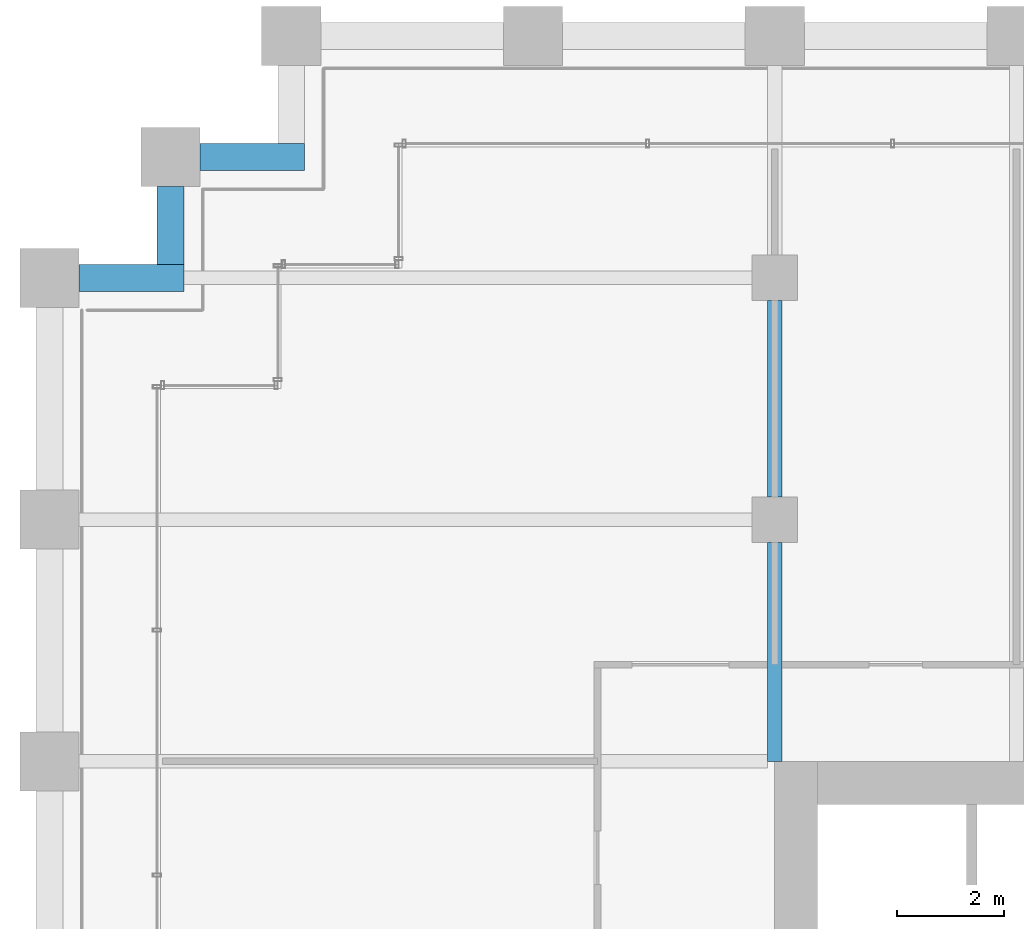
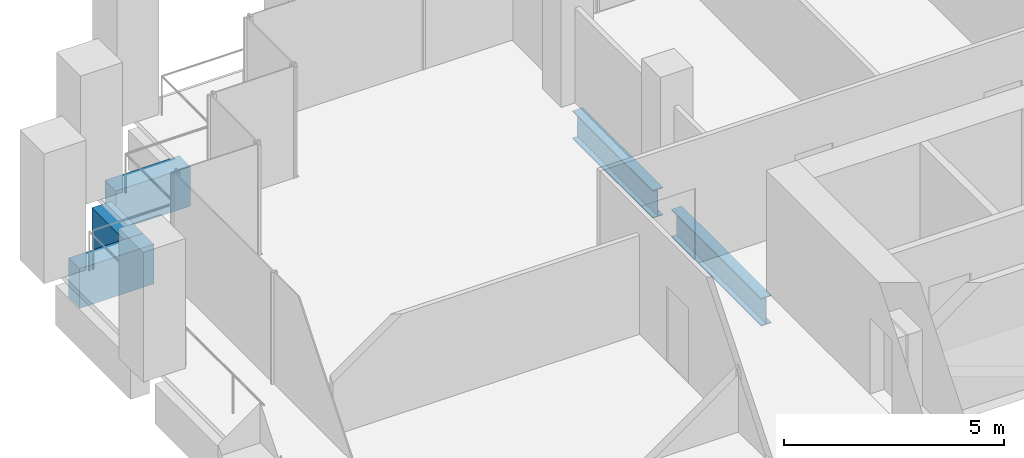
# One storey, part 25 of 56: 5 beams.
"""IFC4 building model written with IfcOpenShell, lengths in metres."""

from ifc_helpers import new_model, si_unit, direction, frame, origin, origin_2d, place, context, subcontext, project, spatial, rectangle, i_section, extrude, material, material_profile, profile_set, type_object, element, save


model = new_model("IFC4")

# Units and contexts
model_context = context("Model", 3, precision=1e-05, world=origin(), true_north=direction((0.0, 1.0)))
body_context = subcontext(model_context, "Body", "Model", "MODEL_VIEW")
ifc_project = project(units=[si_unit("LENGTHUNIT", "METRE"), si_unit("AREAUNIT", "SQUARE_METRE"), si_unit("VOLUMEUNIT", "CUBIC_METRE"), si_unit("PLANEANGLEUNIT", "RADIAN"), si_unit("MASSUNIT", "GRAM", prefix="KILO")], contexts=[model_context])

# Site, building, storey
site_placement = place(None, origin())
site = spatial("IfcSite", under=ifc_project, at=site_placement, CompositionType="ELEMENT")
building_placement = place(site_placement, origin())
building = spatial("IfcBuilding", under=site, at=building_placement, Name="Altepetl Exchange Towers", CompositionType="ELEMENT")
storey_placement = place(building_placement, frame((0.0, 0.0, 72.60009765625)))
storey = spatial("IfcBuildingStorey", under=building, at=storey_placement, Name="L17", CompositionType="ELEMENT", Elevation=72.60009765625)

# Beams
ifc_material_1 = material(Name="Steel S355", Category="steel")
ifc_material_profile_1 = material_profile(ifc_material_1, i_section(OverallWidth=0.26806640625, OverallDepth=0.77392578125, WebThickness=0.015380859375, FlangeThickness=0.025390625, at=origin_2d()), Name="W30X132")
ifc_profile_set_1 = profile_set([ifc_material_profile_1], Name="Steel S355")
beam_type_1 = type_object("IfcBeamType", Name="Girder W30X132", PredefinedType="BEAM", material=ifc_profile_set_1)
beam_1_placement = place(storey_placement, frame((40.5, 67.074951171875, -0.537109375), z_axis=(0.0, -1.0, 0.0), x_axis=(1.0, 0.0, 0.0)))
element("IfcBeam", 1, at=beam_1_placement, inside=storey, type_object=beam_type_1, Name="gd:A:L17:004", PredefinedType="BEAM", context=body_context, shape_type="SweptSolid", body=[
    extrude(i_section(OverallWidth=0.26806640625, OverallDepth=0.77392578125, WebThickness=0.015380859375, FlangeThickness=0.025390625, at=origin_2d()), origin(), (0.0, 0.0, 1.0), 3.64990234375),
])
beam_2_placement = place(storey_placement, frame((40.5, 62.574951171875, -0.537109375), z_axis=(0.0, -1.0, 0.0), x_axis=(1.0, 0.0, 0.0)))
element("IfcBeam", 2, at=beam_2_placement, inside=storey, type_object=beam_type_1, Name="gd:A:L17:005", PredefinedType="BEAM", context=body_context, shape_type="SweptSolid", body=[
    extrude(i_section(OverallWidth=0.26806640625, OverallDepth=0.77392578125, WebThickness=0.015380859375, FlangeThickness=0.025390625, at=origin_2d()), origin(), (0.0, 0.0, 1.0), 4.074951171875),
])
ifc_material_2 = material(Name="Concrete C50/60 precast with tezontle facing", Category="concrete")
ifc_material_profile_2 = material_profile(ifc_material_2, rectangle(XDim=0.5, YDim=1.10009765625, at=origin_2d()), Name="500 x 1100")
ifc_profile_set_2 = profile_set([ifc_material_profile_2], Name="Concrete C50/60 precast with tezontle facing")
beam_type_2 = type_object("IfcBeamType", Name="Spandrel beam 500x1100 tezontle", PredefinedType="SPANDREL", material=ifc_profile_set_2)
beam_3_placement = place(storey_placement, frame((31.75, 69.75, -0.7001953125), z_axis=(-1.0, 0.0, 0.0), x_axis=(0.0, -1.0, 0.0)))
element("IfcBeam", 3, at=beam_3_placement, inside=storey, type_object=beam_type_2, Name="sp:A:L17:033", PredefinedType="SPANDREL", context=body_context, shape_type="SweptSolid", body=[
    extrude(rectangle(XDim=0.5, YDim=1.10009765625, at=origin_2d()), origin(), (0.0, 0.0, 1.0), 1.949951171875),
])
beam_4_placement = place(storey_placement, frame((29.25, 69.199951171875, -0.7001953125), z_axis=(0.0, -1.0, 0.0), x_axis=(1.0, 0.0, 0.0)))
element("IfcBeam", 4, at=beam_4_placement, inside=storey, type_object=beam_type_2, Name="sp:A:L17:034", PredefinedType="SPANDREL", context=body_context, shape_type="SweptSolid", body=[
    extrude(rectangle(XDim=0.5, YDim=1.10009765625, at=origin_2d()), origin(), (0.0, 0.0, 1.0), 1.449951171875),
])
beam_5_placement = place(storey_placement, frame((29.5, 67.5, -0.7001953125), z_axis=(-1.0, 0.0, 0.0), x_axis=(0.0, -1.0, 0.0)))
element("IfcBeam", 5, at=beam_5_placement, inside=storey, type_object=beam_type_2, Name="sp:A:L17:035", PredefinedType="SPANDREL", context=body_context, shape_type="SweptSolid", body=[
    extrude(rectangle(XDim=0.5, YDim=1.10009765625, at=origin_2d()), origin(), (0.0, 0.0, 1.0), 1.949951171875),
])

save(model, "model.ifc")
